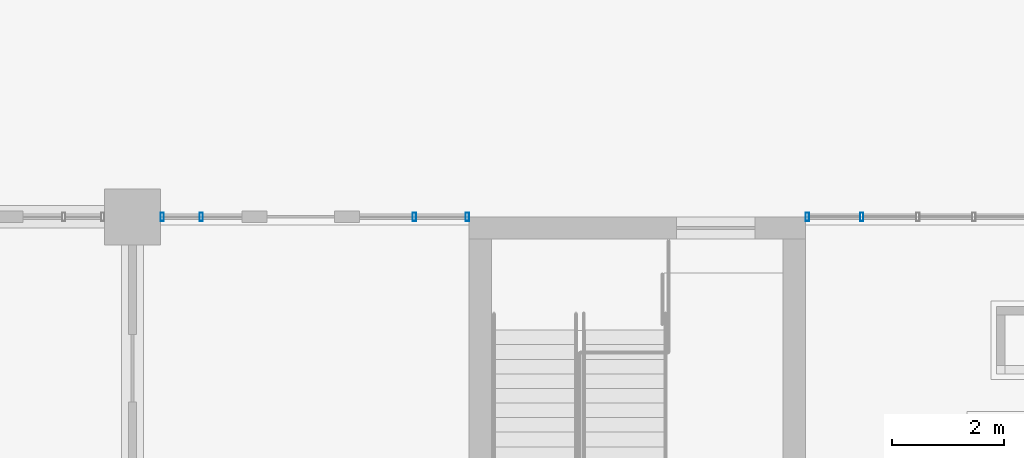
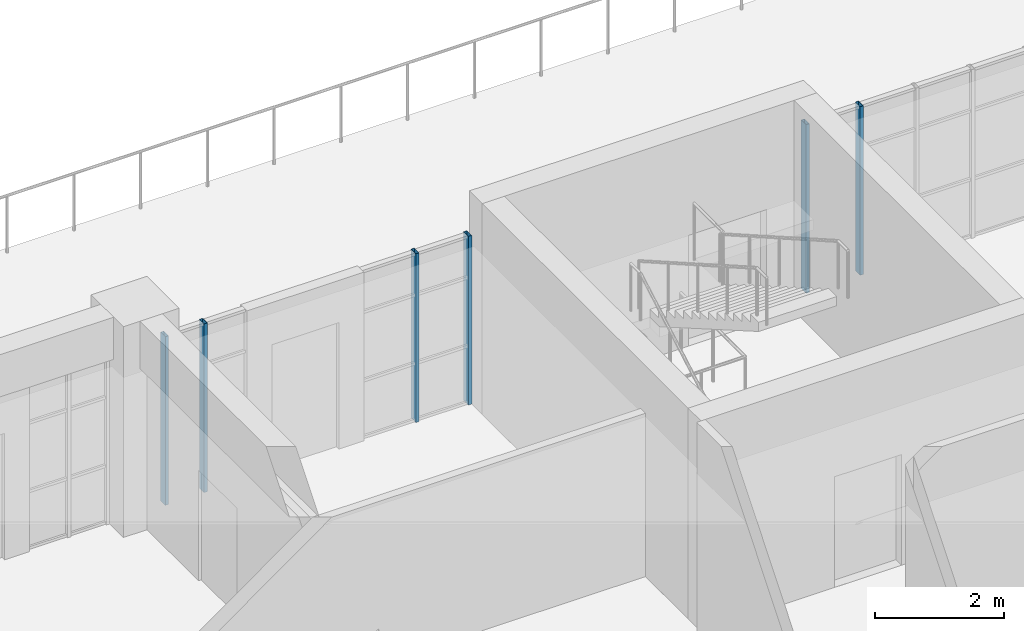
# One storey, part 56 of 101: 6 members, 3 elements without a shape of their own.
"""IFC4 building model written with IfcOpenShell, lengths in metres."""

from ifc_helpers import new_model, si_unit, direction, frame, origin, origin_2d, place, context, subcontext, project, spatial, hollow_rectangle, extrude, material, material_profile, profile_set, type_object, element, aggregate, save


model = new_model("IFC4")

# Units and contexts
model_context = context("Model", 3, precision=1e-05, world=origin(), true_north=direction((0.0, 1.0)))
body_context = subcontext(model_context, "Body", "Model", "MODEL_VIEW")
ifc_project = project(units=[si_unit("LENGTHUNIT", "METRE"), si_unit("AREAUNIT", "SQUARE_METRE"), si_unit("VOLUMEUNIT", "CUBIC_METRE"), si_unit("PLANEANGLEUNIT", "RADIAN"), si_unit("MASSUNIT", "GRAM", prefix="KILO")], contexts=[model_context])

# Site, building, storey
site_placement = place(None, origin())
site = spatial("IfcSite", under=ifc_project, at=site_placement, CompositionType="ELEMENT")
building_placement = place(site_placement, origin())
building = spatial("IfcBuilding", under=site, at=building_placement, Name="Laocheng Heights Fire and Rescue Headquarters", CompositionType="ELEMENT")
storey_placement = place(building_placement, frame((0.0, 0.0, 8.39990234375)))
storey = spatial("IfcBuildingStorey", under=building, at=storey_placement, Name="L02", CompositionType="ELEMENT", Elevation=8.39990234375)

# Curtain wall, members
ifc_material_1 = material(Name="Dark anodised aluminium unitised curtain wall, low-e double glazing", Category="aluminium")
curtain_wall_type_1 = type_object("IfcCurtainWallType", Name="CW 1450 x 3200 HQ NORTH GLAZING", PredefinedType="NOTDEFINED", material=ifc_material_1)
curtain_wall_1_placement = place(storey_placement, origin())
curtain_wall_1 = element("IfcCurtainWall", 1, at=curtain_wall_1_placement, inside=storey, type_object=curtain_wall_type_1, Name="X18-X HQ NORTH L02", PredefinedType="NOTDEFINED")
ifc_material_2 = material(Name="Dark anodised aluminium 6063-T5 extrusion", Category="aluminium")
ifc_material_profile = material_profile(ifc_material_2, hollow_rectangle(XDim=0.14990234375, YDim=0.06005859375, WallThickness=0.0029296875, at=origin_2d()), Name="AL MULLION 150x60x3 HQ NORTH GLAZING")
ifc_profile_set = profile_set([ifc_material_profile], Name="Dark anodised aluminium 6063-T5 extrusion")
member_type = type_object("IfcMemberType", Name="AL MULLION 150x60x3 HQ NORTH GLAZING", PredefinedType="MULLION", material=ifc_profile_set)
member_1_placement = place(storey_placement, frame((60.530029296875, 72.0, 0.0), z_axis=(0.0, 0.0, 1.0), x_axis=(0.0, 1.0, 0.0)))
member_1 = element("IfcMember", 2, at=member_1_placement, type_object=member_type, Name="X18-X mullion 1", PredefinedType="MULLION", context=body_context, shape_type="SweptSolid", body=[
    extrude(hollow_rectangle(XDim=0.14990234375, YDim=0.06005859375, WallThickness=0.0029296875, at=origin_2d()), origin(), (0.0, 0.0, 1.0), 3.2001953125),
])
member_2_placement = place(storey_placement, frame((61.22509765625, 72.0, 0.0), z_axis=(0.0, 0.0, 1.0), x_axis=(0.0, 1.0, 0.0)))
member_2 = element("IfcMember", 3, at=member_2_placement, type_object=member_type, Name="X18-X mullion 2", PredefinedType="MULLION", context=body_context, shape_type="SweptSolid", body=[
    extrude(hollow_rectangle(XDim=0.14990234375, YDim=0.06005859375, WallThickness=0.0029296875, at=origin_2d()), origin(), (0.0, 0.0, 1.0), 3.2001953125),
])
aggregate(curtain_wall_1, [member_1, member_2])

ifc_material_3 = material(Name="Dark anodised aluminium unitised curtain wall, low-e double glazing", Category="aluminium")
curtain_wall_type_2 = type_object("IfcCurtainWallType", Name="CW 1950 x 3200 HQ NORTH GLAZING", PredefinedType="NOTDEFINED", material=ifc_material_3)
curtain_wall_2_placement = place(storey_placement, origin())
curtain_wall_2 = element("IfcCurtainWall", 4, at=curtain_wall_2_placement, inside=storey, type_object=curtain_wall_type_2, Name="X19-X HQ NORTH L02", PredefinedType="NOTDEFINED")
member_3_placement = place(storey_placement, frame((65.02490234375, 72.0, 0.0), z_axis=(0.0, 0.0, 1.0), x_axis=(0.0, 1.0, 0.0)))
member_3 = element("IfcMember", 5, at=member_3_placement, type_object=member_type, Name="X19-X mullion 2", PredefinedType="MULLION", context=body_context, shape_type="SweptSolid", body=[
    extrude(hollow_rectangle(XDim=0.14990234375, YDim=0.06005859375, WallThickness=0.0029296875, at=origin_2d()), origin(), (0.0, 0.0, 1.0), 3.2001953125),
])
member_4_placement = place(storey_placement, frame((65.969970703125, 72.0, 0.0), z_axis=(0.0, 0.0, 1.0), x_axis=(0.0, 1.0, 0.0)))
member_4 = element("IfcMember", 6, at=member_4_placement, type_object=member_type, Name="X19-X mullion 3", PredefinedType="MULLION", context=body_context, shape_type="SweptSolid", body=[
    extrude(hollow_rectangle(XDim=0.14990234375, YDim=0.06005859375, WallThickness=0.0029296875, at=origin_2d()), origin(), (0.0, 0.0, 1.0), 3.2001953125),
])
aggregate(curtain_wall_2, [member_3, member_4])

ifc_material_4 = material(Name="Dark anodised aluminium unitised curtain wall, low-e double glazing", Category="aluminium")
curtain_wall_type_3 = type_object("IfcCurtainWallType", Name="CW 6000 x 3200 HQ NORTH GLAZING", PredefinedType="NOTDEFINED", material=ifc_material_4)
curtain_wall_3_placement = place(storey_placement, origin())
curtain_wall_3 = element("IfcCurtainWall", 7, at=curtain_wall_3_placement, inside=storey, type_object=curtain_wall_type_3, Name="X20-X HQ NORTH L02", PredefinedType="NOTDEFINED")
member_5_placement = place(storey_placement, frame((72.030029296875, 72.0, 0.0), z_axis=(0.0, 0.0, 1.0), x_axis=(0.0, 1.0, 0.0)))
member_5 = element("IfcMember", 8, at=member_5_placement, type_object=member_type, Name="X20-X mullion 1", PredefinedType="MULLION", context=body_context, shape_type="SweptSolid", body=[
    extrude(hollow_rectangle(XDim=0.14990234375, YDim=0.06005859375, WallThickness=0.0029296875, at=origin_2d()), origin(), (0.0, 0.0, 1.0), 3.2001953125),
])
member_6_placement = place(storey_placement, frame((73.0, 72.0, 0.0), z_axis=(0.0, 0.0, 1.0), x_axis=(0.0, 1.0, 0.0)))
member_6 = element("IfcMember", 9, at=member_6_placement, type_object=member_type, Name="X20-X mullion 2", PredefinedType="MULLION", context=body_context, shape_type="SweptSolid", body=[
    extrude(hollow_rectangle(XDim=0.14990234375, YDim=0.06005859375, WallThickness=0.0029296875, at=origin_2d()), origin(), (0.0, 0.0, 1.0), 3.2001953125),
])
aggregate(curtain_wall_3, [member_5, member_6])

save(model, "model.ifc")
